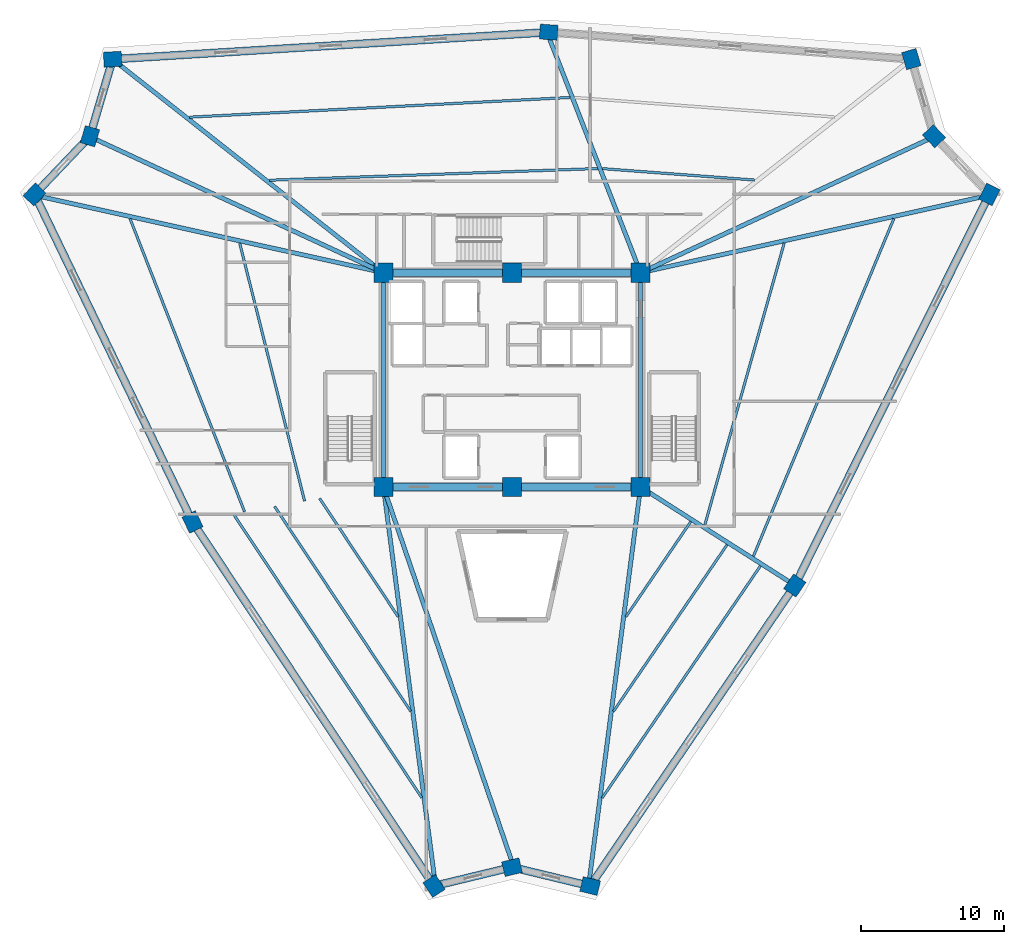
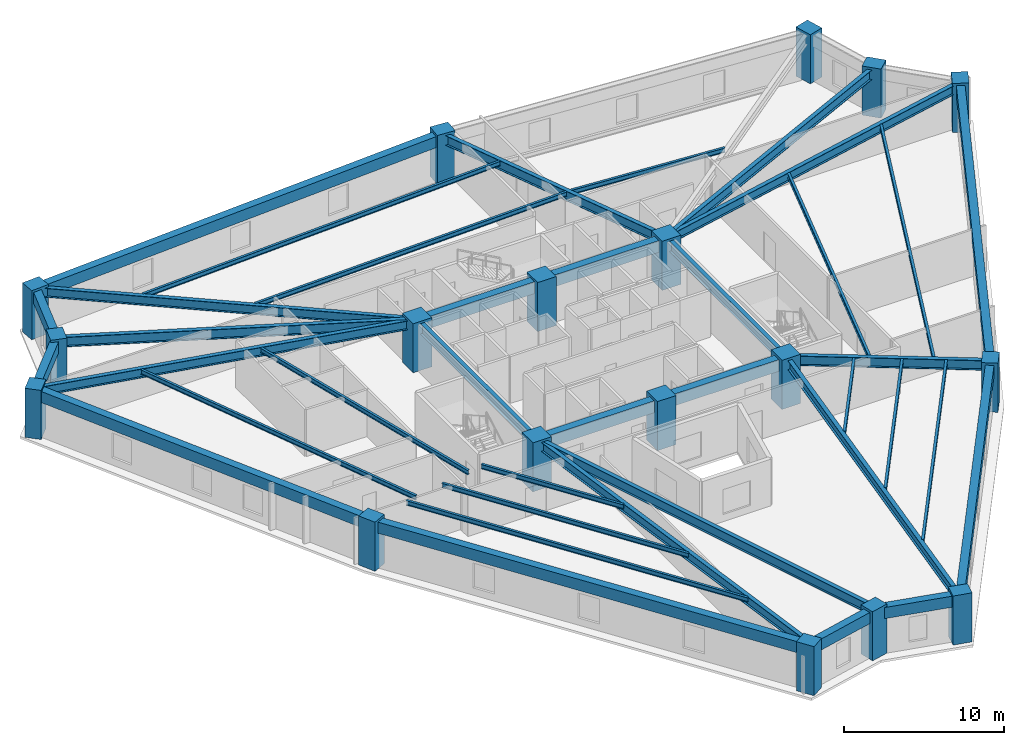
# One storey, part 1 of 8: 38 beams, 18 columns.
"""IFC4 building model written with IfcOpenShell, lengths in metres."""

from ifc_helpers import new_model, si_unit, direction, frame, origin, origin_2d, place, context, subcontext, project, spatial, rectangle, i_section, extrude, source, transform, mapped, material, material_profile, profile_set, type_object, element, save


model = new_model("IFC4")

# Units and contexts
model_context = context("Model", 3, precision=1e-05, world=origin(), true_north=direction((0.0, 1.0)))
body_context = subcontext(model_context, "Body", "Model", "MODEL_VIEW")
ifc_project = project(units=[si_unit("LENGTHUNIT", "METRE"), si_unit("AREAUNIT", "SQUARE_METRE"), si_unit("VOLUMEUNIT", "CUBIC_METRE"), si_unit("PLANEANGLEUNIT", "RADIAN"), si_unit("MASSUNIT", "GRAM", prefix="KILO")], contexts=[model_context])

# Site, building, storey
site_placement = place(None, origin())
site = spatial("IfcSite", under=ifc_project, at=site_placement, CompositionType="ELEMENT")
building_placement = place(site_placement, origin())
building = spatial("IfcBuilding", under=site, at=building_placement, Name="Liaohun Quay Tower", CompositionType="ELEMENT")
storey_placement = place(building_placement, frame((0.0, 0.0, 220.5)))
storey = spatial("IfcBuildingStorey", under=building, at=storey_placement, Name="L57", CompositionType="ELEMENT", Elevation=220.5)

# Columns
ifc_material_1 = material(Name="Concrete C55", Category="concrete")
ifc_material_profile_1 = material_profile(ifc_material_1, rectangle(XDim=1.35009765625, YDim=1.35009765625, at=origin_2d()), Name="RC1350x1350")
ifc_profile_set_1 = profile_set([ifc_material_profile_1], Name="Concrete C55")
column_type_1 = type_object("IfcColumnType", Name="COL-CC-Z3", PredefinedType="COLUMN", material=ifc_profile_set_1)
shared_shape_1 = source(origin(), body_context, "Body", "SweptSolid", [
    extrude(rectangle(XDim=1.35009765625, YDim=1.35009765625, at=origin_2d()), origin(), (0.0, 0.0, 1.0), 3.75),
])
for number, where, z_axis, x_axis, name in (
    (1, (51.0, 46.5, 0.0), (0.0, 0.0, 1.0), (1.0, 0.0, 0.0), "L57 Core Column CC1"),
    (2, (60.0, 46.5, 0.0), (0.0, 0.0, 1.0), (1.0, 0.0, 0.0), "L57 Core Column CC2"),
    (3, (69.0, 46.5, 0.0), (0.0, 0.0, 1.0), (1.0, 0.0, 0.0), "L57 Core Column CC3"),
    (4, (69.0, 61.5, 0.0), (0.0, 0.0, 1.0), (1.0, 0.0, 0.0), "L57 Core Column CC4"),
    (5, (60.0, 61.5, 0.0), (0.0, 0.0, 1.0), (1.0, 0.0, 0.0), "L57 Core Column CC5"),
    (6, (51.0, 61.5, 0.0), (0.0, 0.0, 1.0), (1.0, 0.0, 0.0), "L57 Core Column CC6"),
):
    element("IfcColumn", number, at=place(storey_placement, frame(where, z_axis=z_axis, x_axis=x_axis)), inside=storey, type_object=column_type_1, Name=name, PredefinedType="COLUMN", context=body_context, shape_type="MappedRepresentation", body=[
        mapped(shared_shape_1, transform((0.0, 0.0, 0.0), x_axis=(1.0, 0.0, 0.0), y_axis=(0.0, 1.0, 0.0), z_axis=(0.0, 0.0, 1.0), scale=1.0)),
    ])
ifc_material_profile_2 = material_profile(ifc_material_1, rectangle(XDim=1.25, YDim=1.050048828125, at=origin_2d()), Name="RC1250x1050")
ifc_profile_set_2 = profile_set([ifc_material_profile_2], Name="Concrete C55")
column_type_2 = type_object("IfcColumnType", Name="COL-PIER-Z3", PredefinedType="COLUMN", material=ifc_profile_set_2)
shared_shape_2 = source(origin(), body_context, "Body", "SweptSolid", [
    extrude(rectangle(XDim=1.25, YDim=1.050048828125, at=origin_2d()), origin(), (0.0, 0.0, 1.0), 3.75),
])
for number, where, z_axis, x_axis, name in (
    (7, (54.5380859375, 18.570068359375, 0.0), (0.0, 0.0, 1.0), (-0.552664477717, 0.833403848725, 0.0), "L57 Perimeter Pier PC01"),
    (8, (37.635986328125, 44.053955078125, 0.0), (0.0, 0.0, 1.0), (-0.434445257404, 0.900698239323, 0.0), "L57 Perimeter Pier PC02"),
    (9, (26.5810546875, 66.97998046875, 0.0), (0.0, 0.0, 1.0), (0.68936671806, 0.724412539946, 0.0), "L57 Perimeter Pier PC03"),
    (10, (30.458984375, 71.054931640625, 0.0), (0.0, 0.0, 1.0), (0.282676303383, 0.959215360337, 0.0), "L57 Perimeter Pier PC04"),
    (11, (32.048095703125, 76.445068359375, 0.0), (0.0, 0.0, 1.0), (0.998081143466, 0.061919553109, 0.0), "L57 Perimeter Pier PC05"),
    (12, (62.569091796875, 78.340087890625, 0.0), (0.0, 0.0, 1.0), (-0.997250185099, 0.074108490195, 0.0), "L57 Perimeter Pier PC06"),
    (13, (87.949951171875, 76.451904296875, 0.0), (0.0, 0.0, 1.0), (-0.282676303383, 0.959215360337, 0.0), "L57 Perimeter Pier PC07"),
    (14, (89.541015625, 71.054931640625, 0.0), (0.0, 0.0, 1.0), (-0.68936671806, 0.724412539946, 0.0), "L57 Perimeter Pier PC08"),
    (15, (93.4140625, 66.985107421875, 0.0), (0.0, 0.0, 1.0), (0.445416665749, 0.895323401835, 0.0), "L57 Perimeter Pier PC09"),
    (16, (79.794921875, 39.60498046875, 0.0), (0.0, 0.0, 1.0), (0.562804927695, 0.826589749127, 0.0), "L57 Perimeter Pier PC10"),
    (17, (65.468994140625, 18.568115234375, 0.0), (0.0, 0.0, 1.0), (-0.972043021443, 0.234802820391, 0.0), "L57 Perimeter Pier PC11"),
    (18, (60.0, 19.888916015625, 0.0), (0.0, 0.0, 1.0), (0.972043021443, 0.234802820391, 0.0), "L57 Perimeter Pier PC12"),
):
    element("IfcColumn", number, at=place(storey_placement, frame(where, z_axis=z_axis, x_axis=x_axis)), inside=storey, type_object=column_type_2, Name=name, PredefinedType="COLUMN", context=body_context, shape_type="MappedRepresentation", body=[
        mapped(shared_shape_2, transform((0.0, 0.0, 0.0), x_axis=(1.0, 0.0, 0.0), y_axis=(0.0, 1.0, 0.0), z_axis=(0.0, 0.0, 1.0), scale=1.0)),
    ])

# Beams
ifc_material_2 = material(Name="Steel Q355D", Category="steel")
ifc_material_profile_3 = material_profile(ifc_material_2, i_section(OverallWidth=0.300048828125, OverallDepth=0.800048828125, WebThickness=0.013916015625, FlangeThickness=0.02587890625, at=origin_2d()), Name="HN800x300x14x26")
ifc_profile_set_3 = profile_set([ifc_material_profile_3], Name="Steel Q355D")
beam_type_1 = type_object("IfcBeamType", Name="BM-RAD-M1", PredefinedType="BEAM", material=ifc_profile_set_3)
shared_shape_3 = source(origin(), body_context, "Body", "SweptSolid", [
    extrude(i_section(OverallWidth=0.300048828125, OverallDepth=0.800048828125, WebThickness=0.013916015625, FlangeThickness=0.02587890625, at=origin_2d()), origin(), (0.0, 0.0, 1.0), 15.0),
])
for number, where, z_axis, x_axis, name in (
    (19, (69.0, 46.5, 3.169921875), (0.0, 1.0, 0.0), (-1.0, 0.0, 0.0), "L57 Core Coupling/Ring Beam CC3-CC4"),
    (20, (51.0, 61.5, 3.169921875), (0.0, -1.0, 0.0), (1.0, 0.0, 0.0), "L57 Core Coupling/Ring Beam CC6-CC1"),
):
    element("IfcBeam", number, at=place(storey_placement, frame(where, z_axis=z_axis, x_axis=x_axis)), inside=storey, type_object=beam_type_1, Name=name, PredefinedType="BEAM", context=body_context, shape_type="MappedRepresentation", body=[
        mapped(shared_shape_3, transform((0.0, 0.0, 0.0), x_axis=(1.0, 0.0, 0.0), y_axis=(0.0, 1.0, 0.0), z_axis=(0.0, 0.0, 1.0), scale=1.0)),
    ])
ifc_material_profile_4 = material_profile(ifc_material_1, rectangle(XDim=0.550048828125, YDim=0.89990234375, at=origin_2d()), Name="RC550x900")
ifc_profile_set_4 = profile_set([ifc_material_profile_4], Name="Concrete C55")
beam_type_2 = type_object("IfcBeamType", Name="BM-CPL-2", PredefinedType="LINTEL", material=ifc_profile_set_4)
shared_shape_4 = source(origin(), body_context, "Body", "SweptSolid", [
    extrude(rectangle(XDim=0.550048828125, YDim=0.89990234375, at=origin_2d()), origin(), (0.0, 0.0, 1.0), 9.0),
])
for number, where, z_axis, x_axis, name in (
    (21, (51.0, 46.5, 3.1201171875), (1.0, 0.0, 0.0), (0.0, 1.0, 0.0), "L57 Core Coupling/Ring Beam CC1-CC2"),
    (22, (60.0, 46.5, 3.1201171875), (1.0, 0.0, 0.0), (0.0, 1.0, 0.0), "L57 Core Coupling/Ring Beam CC2-CC3"),
    (23, (69.0, 61.5, 3.1201171875), (-1.0, 0.0, 0.0), (0.0, -1.0, 0.0), "L57 Core Coupling/Ring Beam CC4-CC5"),
    (24, (60.0, 61.5, 3.1201171875), (-1.0, 0.0, 0.0), (0.0, -1.0, 0.0), "L57 Core Coupling/Ring Beam CC5-CC6"),
):
    element("IfcBeam", number, at=place(storey_placement, frame(where, z_axis=z_axis, x_axis=x_axis)), inside=storey, type_object=beam_type_2, Name=name, PredefinedType="LINTEL", context=body_context, shape_type="MappedRepresentation", body=[
        mapped(shared_shape_4, transform((0.0, 0.0, 0.0), x_axis=(1.0, 0.0, 0.0), y_axis=(0.0, 1.0, 0.0), z_axis=(0.0, 0.0, 1.0), scale=1.0)),
    ])
ifc_material_3 = material(Name="Precast concrete C50", Category="concrete")
ifc_material_profile_5 = material_profile(ifc_material_3, rectangle(XDim=0.550048828125, YDim=0.85009765625, at=origin_2d()), Name="RC550x850")
ifc_profile_set_5 = profile_set([ifc_material_profile_5], Name="Precast concrete C50")
beam_type_3 = type_object("IfcBeamType", Name="BM-SPD-Z3", PredefinedType="SPANDREL", material=ifc_profile_set_5)
shared_shape_5 = source(origin(), body_context, "Body", "SweptSolid", [
    extrude(rectangle(XDim=0.550048828125, YDim=0.85009765625, at=origin_2d()), origin(), (0.0, 0.0, 1.0), 30.57958984375),
])
beam_1_placement = place(storey_placement, frame((54.5380859375, 18.570068359375, 3.14501953125), z_axis=(-0.55272541323, 0.833363436665, 0.0), x_axis=(-0.833363436665, -0.55272541323, 0.0)))
element("IfcBeam", 25, at=beam_1_placement, inside=storey, type_object=beam_type_3, Name="L57 Precast Spandrel Beam PC01-PC02", PredefinedType="SPANDREL", context=body_context, shape_type="MappedRepresentation", body=[
    mapped(shared_shape_5, transform((0.0, 0.0, 0.0), x_axis=(1.0, 0.0, 0.0), y_axis=(0.0, 1.0, 0.0), z_axis=(0.0, 0.0, 1.0), scale=1.0)),
])
shared_shape_6 = source(origin(), body_context, "Body", "SweptSolid", [
    extrude(rectangle(XDim=0.550048828125, YDim=0.85009765625, at=origin_2d()), origin(), (0.0, 0.0, 1.0), 25.4521484375),
])
beam_2_placement = place(storey_placement, frame((37.635986328125, 44.053955078125, 3.14501953125), z_axis=(-0.434341018273, 0.900748510876, 0.0), x_axis=(-0.900748510876, -0.434341018273, 0.0)))
element("IfcBeam", 26, at=beam_2_placement, inside=storey, type_object=beam_type_3, Name="L57 Precast Spandrel Beam PC02-PC03", PredefinedType="SPANDREL", context=body_context, shape_type="MappedRepresentation", body=[
    mapped(shared_shape_6, transform((0.0, 0.0, 0.0), x_axis=(1.0, 0.0, 0.0), y_axis=(0.0, 1.0, 0.0), z_axis=(0.0, 0.0, 1.0), scale=1.0)),
])
shared_shape_7 = source(origin(), body_context, "Body", "SweptSolid", [
    extrude(rectangle(XDim=0.550048828125, YDim=0.85009765625, at=origin_2d()), origin(), (0.0, 0.0, 1.0), 5.625244140625),
])
beam_3_placement = place(storey_placement, frame((26.5810546875, 66.97998046875, 3.14501953125), z_axis=(0.689377687208, 0.724402101308, 0.0), x_axis=(-0.724402101308, 0.689377687208, 0.0)))
element("IfcBeam", 27, at=beam_3_placement, inside=storey, type_object=beam_type_3, Name="L57 Precast Spandrel Beam PC03-PC04", PredefinedType="SPANDREL", context=body_context, shape_type="MappedRepresentation", body=[
    mapped(shared_shape_7, transform((0.0, 0.0, 0.0), x_axis=(1.0, 0.0, 0.0), y_axis=(0.0, 1.0, 0.0), z_axis=(0.0, 0.0, 1.0), scale=1.0)),
])
shared_shape_8 = source(origin(), body_context, "Body", "SweptSolid", [
    extrude(rectangle(XDim=0.550048828125, YDim=0.85009765625, at=origin_2d()), origin(), (0.0, 0.0, 1.0), 5.619384765625),
])
beam_4_placement = place(storey_placement, frame((30.458984375, 71.054931640625, 3.14501953125), z_axis=(0.28278487532, 0.959183358014, 0.0), x_axis=(-0.959183358014, 0.28278487532, 0.0)))
element("IfcBeam", 28, at=beam_4_placement, inside=storey, type_object=beam_type_3, Name="L57 Precast Spandrel Beam PC04-PC05", PredefinedType="SPANDREL", context=body_context, shape_type="MappedRepresentation", body=[
    mapped(shared_shape_8, transform((0.0, 0.0, 0.0), x_axis=(1.0, 0.0, 0.0), y_axis=(0.0, 1.0, 0.0), z_axis=(0.0, 0.0, 1.0), scale=1.0)),
])
shared_shape_9 = source(origin(), body_context, "Body", "SweptSolid", [
    extrude(rectangle(XDim=0.550048828125, YDim=0.85009765625, at=origin_2d()), origin(), (0.0, 0.0, 1.0), 30.579833984375),
])
beam_5_placement = place(storey_placement, frame((32.048095703125, 76.445068359375, 3.14501953125), z_axis=(0.998078030366, 0.061969712766, 0.0), x_axis=(-0.061969712766, 0.998078030366, 0.0)))
element("IfcBeam", 29, at=beam_5_placement, inside=storey, type_object=beam_type_3, Name="L57 Precast Spandrel Beam PC05-PC06", PredefinedType="SPANDREL", context=body_context, shape_type="MappedRepresentation", body=[
    mapped(shared_shape_9, transform((0.0, 0.0, 0.0), x_axis=(1.0, 0.0, 0.0), y_axis=(0.0, 1.0, 0.0), z_axis=(0.0, 0.0, 1.0), scale=1.0)),
])
shared_shape_10 = source(origin(), body_context, "Body", "SweptSolid", [
    extrude(rectangle(XDim=0.550048828125, YDim=0.85009765625, at=origin_2d()), origin(), (0.0, 0.0, 1.0), 30.580322265625),
])
beam_6_placement = place(storey_placement, frame((93.4140625, 66.985107421875, 3.14501953125), z_axis=(-0.445357244235, -0.895352961132, 0.0), x_axis=(0.895352961132, -0.445357244235, 0.0)))
element("IfcBeam", 30, at=beam_6_placement, inside=storey, type_object=beam_type_3, Name="L57 Precast Spandrel Beam PC09-PC10", PredefinedType="SPANDREL", context=body_context, shape_type="MappedRepresentation", body=[
    mapped(shared_shape_10, transform((0.0, 0.0, 0.0), x_axis=(1.0, 0.0, 0.0), y_axis=(0.0, 1.0, 0.0), z_axis=(0.0, 0.0, 1.0), scale=1.0)),
])
shared_shape_11 = source(origin(), body_context, "Body", "SweptSolid", [
    extrude(rectangle(XDim=0.550048828125, YDim=0.85009765625, at=origin_2d()), origin(), (0.0, 0.0, 1.0), 25.45166015625),
])
beam_7_placement = place(storey_placement, frame((79.794921875, 39.60498046875, 3.14501953125), z_axis=(-0.562870321408, -0.826545220347, 0.0), x_axis=(0.826545220347, -0.562870321408, 0.0)))
element("IfcBeam", 31, at=beam_7_placement, inside=storey, type_object=beam_type_3, Name="L57 Precast Spandrel Beam PC10-PC11", PredefinedType="SPANDREL", context=body_context, shape_type="MappedRepresentation", body=[
    mapped(shared_shape_11, transform((0.0, 0.0, 0.0), x_axis=(1.0, 0.0, 0.0), y_axis=(0.0, 1.0, 0.0), z_axis=(0.0, 0.0, 1.0), scale=1.0)),
])
shared_shape_12 = source(origin(), body_context, "Body", "SweptSolid", [
    extrude(rectangle(XDim=0.550048828125, YDim=0.85009765625, at=origin_2d()), origin(), (0.0, 0.0, 1.0), 5.626220703125),
])
beam_8_placement = place(storey_placement, frame((65.468994140625, 18.568115234375, 3.14501953125), z_axis=(-0.972053873937, 0.234757888398, 0.0), x_axis=(-0.234757888398, -0.972053873937, 0.0)))
element("IfcBeam", 32, at=beam_8_placement, inside=storey, type_object=beam_type_3, Name="L57 Precast Spandrel Beam PC11-PC12", PredefinedType="SPANDREL", context=body_context, shape_type="MappedRepresentation", body=[
    mapped(shared_shape_12, transform((0.0, 0.0, 0.0), x_axis=(1.0, 0.0, 0.0), y_axis=(0.0, 1.0, 0.0), z_axis=(0.0, 0.0, 1.0), scale=1.0)),
])
shared_shape_13 = source(origin(), body_context, "Body", "SweptSolid", [
    extrude(rectangle(XDim=0.550048828125, YDim=0.85009765625, at=origin_2d()), origin(), (0.0, 0.0, 1.0), 5.618896484375),
])
beam_9_placement = place(storey_placement, frame((60.0, 19.888916015625, 3.14501953125), z_axis=(-0.972063751515, -0.234716984878, 0.0), x_axis=(0.234716984878, -0.972063751515, 0.0)))
element("IfcBeam", 33, at=beam_9_placement, inside=storey, type_object=beam_type_3, Name="L57 Precast Spandrel Beam PC12-PC01", PredefinedType="SPANDREL", context=body_context, shape_type="MappedRepresentation", body=[
    mapped(shared_shape_13, transform((0.0, 0.0, 0.0), x_axis=(1.0, 0.0, 0.0), y_axis=(0.0, 1.0, 0.0), z_axis=(0.0, 0.0, 1.0), scale=1.0)),
])
ifc_material_profile_6 = material_profile(ifc_material_2, i_section(OverallWidth=0.300048828125, OverallDepth=0.699951171875, WebThickness=0.012939453125, FlangeThickness=0.02392578125, at=origin_2d()), Name="HN700x300x13x24")
ifc_profile_set_6 = profile_set([ifc_material_profile_6], Name="Steel Q355D")
beam_type_4 = type_object("IfcBeamType", Name="BM-RAD-U1", PredefinedType="BEAM", material=ifc_profile_set_6)
shared_shape_14 = source(origin(), body_context, "Body", "SweptSolid", [
    extrude(i_section(OverallWidth=0.300048828125, OverallDepth=0.699951171875, WebThickness=0.012939453125, FlangeThickness=0.02392578125, at=origin_2d()), origin(), (0.0, 0.0, 1.0), 27.78125),
])
beam_10_placement = place(storey_placement, frame((51.0, 46.5, 3.219970703125), z_axis=(0.129586761075, -0.991568087099, 0.0), x_axis=(0.991568087099, 0.129586761075, 0.0)))
element("IfcBeam", 34, at=beam_10_placement, inside=storey, type_object=beam_type_4, Name="L57 Radial Primary Girder CC1-PC01", PredefinedType="BEAM", context=body_context, shape_type="MappedRepresentation", body=[
    mapped(shared_shape_14, transform((0.0, 0.0, 0.0), x_axis=(1.0, 0.0, 0.0), y_axis=(0.0, 1.0, 0.0), z_axis=(0.0, 0.0, 1.0), scale=1.0)),
])
shared_shape_15 = source(origin(), body_context, "Body", "SweptSolid", [
    extrude(i_section(OverallWidth=0.300048828125, OverallDepth=0.699951171875, WebThickness=0.012939453125, FlangeThickness=0.02392578125, at=origin_2d()), origin(), (0.0, 0.0, 1.0), 24.6416015625),
])
beam_11_placement = place(storey_placement, frame((51.0, 61.5, 3.219970703125), z_axis=(-0.976227373149, 0.216748969811, 0.0), x_axis=(-0.216748969811, -0.976227373149, 0.0)))
element("IfcBeam", 35, at=beam_11_placement, inside=storey, type_object=beam_type_4, Name="L57 Radial Primary Girder CC6-PC03", PredefinedType="BEAM", context=body_context, shape_type="MappedRepresentation", body=[
    mapped(shared_shape_15, transform((0.0, 0.0, 0.0), x_axis=(1.0, 0.0, 0.0), y_axis=(0.0, 1.0, 0.0), z_axis=(0.0, 0.0, 1.0), scale=1.0)),
])
ifc_material_profile_7 = material_profile(ifc_material_2, i_section(OverallWidth=0.300048828125, OverallDepth=0.75, WebThickness=0.013916015625, FlangeThickness=0.02587890625, at=origin_2d()), Name="HN750x300x14x26")
ifc_profile_set_7 = profile_set([ifc_material_profile_7], Name="Steel Q355D")
beam_type_5 = type_object("IfcBeamType", Name="BM-RAD-M2", PredefinedType="BEAM", material=ifc_profile_set_7)
shared_shape_16 = source(origin(), body_context, "Body", "SweptSolid", [
    extrude(i_section(OverallWidth=0.300048828125, OverallDepth=0.75, WebThickness=0.013916015625, FlangeThickness=0.02587890625, at=origin_2d()), origin(), (0.0, 0.0, 1.0), 22.287841796875),
])
for number, where, z_axis, x_axis, name in (
    (36, (51.0, 61.5, 3.195068359375), (-0.907311319993, 0.420459473211, 0.0), (-0.420459473211, -0.907311319993, 0.0), "L57 Radial Primary Girder CC6-PC04"),
    (37, (69.0, 61.5, 3.195068359375), (0.907311319993, 0.420459473211, 0.0), (-0.420459473211, 0.907311319993, 0.0), "L57 Radial Primary Girder CC4-PC08"),
):
    element("IfcBeam", number, at=place(storey_placement, frame(where, z_axis=z_axis, x_axis=x_axis)), inside=storey, type_object=beam_type_5, Name=name, PredefinedType="BEAM", context=body_context, shape_type="MappedRepresentation", body=[
        mapped(shared_shape_16, transform((0.0, 0.0, 0.0), x_axis=(1.0, 0.0, 0.0), y_axis=(0.0, 1.0, 0.0), z_axis=(0.0, 0.0, 1.0), scale=1.0)),
    ])
shared_shape_17 = source(origin(), body_context, "Body", "SweptSolid", [
    extrude(i_section(OverallWidth=0.300048828125, OverallDepth=0.699951171875, WebThickness=0.012939453125, FlangeThickness=0.02392578125, at=origin_2d()), origin(), (0.0, 0.0, 1.0), 23.74755859375),
])
beam_12_placement = place(storey_placement, frame((51.0, 61.5, 3.219970703125), z_axis=(-0.785382772163, 0.619010420906, 0.0), x_axis=(-0.619010420906, -0.785382772163, 0.0)))
element("IfcBeam", 38, at=beam_12_placement, inside=storey, type_object=beam_type_4, Name="L57 Radial Primary Girder CC6-PC05", PredefinedType="BEAM", context=body_context, shape_type="MappedRepresentation", body=[
    mapped(shared_shape_17, transform((0.0, 0.0, 0.0), x_axis=(1.0, 0.0, 0.0), y_axis=(0.0, 1.0, 0.0), z_axis=(0.0, 0.0, 1.0), scale=1.0)),
])
shared_shape_18 = source(origin(), body_context, "Body", "SweptSolid", [
    extrude(i_section(OverallWidth=0.300048828125, OverallDepth=0.75, WebThickness=0.013916015625, FlangeThickness=0.02587890625, at=origin_2d()), origin(), (0.0, 0.0, 1.0), 17.8037109375),
])
beam_13_placement = place(storey_placement, frame((69.0, 61.5, 3.195068359375), z_axis=(-0.362735429247, 0.931892165633, 0.0), x_axis=(-0.931892165633, -0.362735429247, 0.0)))
element("IfcBeam", 39, at=beam_13_placement, inside=storey, type_object=beam_type_5, Name="L57 Radial Primary Girder CC4-PC06", PredefinedType="BEAM", context=body_context, shape_type="MappedRepresentation", body=[
    mapped(shared_shape_18, transform((0.0, 0.0, 0.0), x_axis=(1.0, 0.0, 0.0), y_axis=(0.0, 1.0, 0.0), z_axis=(0.0, 0.0, 1.0), scale=1.0)),
])
shared_shape_19 = source(origin(), body_context, "Body", "SweptSolid", [
    extrude(i_section(OverallWidth=0.300048828125, OverallDepth=0.699951171875, WebThickness=0.012939453125, FlangeThickness=0.02392578125, at=origin_2d()), origin(), (0.0, 0.0, 1.0), 24.637939453125),
])
beam_14_placement = place(storey_placement, frame((69.0, 61.5, 3.219970703125), z_axis=(0.976176100629, 0.216979769934, 0.0), x_axis=(-0.216979769934, 0.976176100629, 0.0)))
element("IfcBeam", 40, at=beam_14_placement, inside=storey, type_object=beam_type_4, Name="L57 Radial Primary Girder CC4-PC09", PredefinedType="BEAM", context=body_context, shape_type="MappedRepresentation", body=[
    mapped(shared_shape_19, transform((0.0, 0.0, 0.0), x_axis=(1.0, 0.0, 0.0), y_axis=(0.0, 1.0, 0.0), z_axis=(0.0, 0.0, 1.0), scale=1.0)),
])
shared_shape_20 = source(origin(), body_context, "Body", "SweptSolid", [
    extrude(i_section(OverallWidth=0.300048828125, OverallDepth=0.75, WebThickness=0.013916015625, FlangeThickness=0.02587890625, at=origin_2d()), origin(), (0.0, 0.0, 1.0), 12.558837890625),
])
beam_15_placement = place(storey_placement, frame((69.0, 46.5, 3.195068359375), z_axis=(0.843478131667, -0.537163514583, 0.0), x_axis=(0.537163514583, 0.843478131667, 0.0)))
element("IfcBeam", 41, at=beam_15_placement, inside=storey, type_object=beam_type_5, Name="L57 Radial Primary Girder CC3-PC10", PredefinedType="BEAM", context=body_context, shape_type="MappedRepresentation", body=[
    mapped(shared_shape_20, transform((0.0, 0.0, 0.0), x_axis=(1.0, 0.0, 0.0), y_axis=(0.0, 1.0, 0.0), z_axis=(0.0, 0.0, 1.0), scale=1.0)),
])
shared_shape_21 = source(origin(), body_context, "Body", "SweptSolid", [
    extrude(i_section(OverallWidth=0.300048828125, OverallDepth=0.699951171875, WebThickness=0.012939453125, FlangeThickness=0.02392578125, at=origin_2d()), origin(), (0.0, 0.0, 1.0), 27.7822265625),
])
beam_16_placement = place(storey_placement, frame((69.0, 46.5, 3.219970703125), z_axis=(-0.129292599614, -0.991606486306, 0.0), x_axis=(0.991606486306, -0.129292599614, 0.0)))
element("IfcBeam", 42, at=beam_16_placement, inside=storey, type_object=beam_type_4, Name="L57 Radial Primary Girder CC3-PC11", PredefinedType="BEAM", context=body_context, shape_type="MappedRepresentation", body=[
    mapped(shared_shape_21, transform((0.0, 0.0, 0.0), x_axis=(1.0, 0.0, 0.0), y_axis=(0.0, 1.0, 0.0), z_axis=(0.0, 0.0, 1.0), scale=1.0)),
])
shared_shape_22 = source(origin(), body_context, "Body", "SweptSolid", [
    extrude(i_section(OverallWidth=0.300048828125, OverallDepth=0.75, WebThickness=0.013916015625, FlangeThickness=0.02587890625, at=origin_2d()), origin(), (0.0, 0.0, 1.0), 27.743408203125),
])
beam_17_placement = place(storey_placement, frame((51.0, 46.5, 3.195068359375), z_axis=(0.324402616718, -0.945919099219, 0.0), x_axis=(0.945919099219, 0.324402616718, 0.0)))
element("IfcBeam", 43, at=beam_17_placement, inside=storey, type_object=beam_type_5, Name="L57 Radial Primary Girder CC1-PC12", PredefinedType="BEAM", context=body_context, shape_type="MappedRepresentation", body=[
    mapped(shared_shape_22, transform((0.0, 0.0, 0.0), x_axis=(1.0, 0.0, 0.0), y_axis=(0.0, 1.0, 0.0), z_axis=(0.0, 0.0, 1.0), scale=1.0)),
])
ifc_material_profile_8 = material_profile(ifc_material_2, i_section(OverallWidth=0.175048828125, OverallDepth=0.35009765625, WebThickness=0.007080078125, FlangeThickness=0.010986328125, at=origin_2d()), Name="HN350x175x7x11")
ifc_profile_set_8 = profile_set([ifc_material_profile_8], Name="Steel Q355D")
beam_type_6 = type_object("IfcBeamType", Name="BM-SEC-J3", PredefinedType="JOIST", material=ifc_profile_set_8)
shared_shape_23 = source(origin(), body_context, "Body", "SweptSolid", [
    extrude(i_section(OverallWidth=0.175048828125, OverallDepth=0.35009765625, WebThickness=0.007080078125, FlangeThickness=0.010986328125, at=origin_2d()), origin(), (0.0, 0.0, 1.0), 9.9453125),
])
beam_18_placement = place(storey_placement, frame((52.035888671875, 37.41796875, 3.39501953125), z_axis=(-0.553215100182, 0.83303844625, 0.0), x_axis=(-0.83303844625, -0.553215100182, 0.0)))
element("IfcBeam", 44, at=beam_18_placement, inside=storey, type_object=beam_type_6, Name="L57 Wing Secondary Floor Joist SJ-01", PredefinedType="JOIST", context=body_context, shape_type="MappedRepresentation", body=[
    mapped(shared_shape_23, transform((0.0, 0.0, 0.0), x_axis=(1.0, 0.0, 0.0), y_axis=(0.0, 1.0, 0.0), z_axis=(0.0, 0.0, 1.0), scale=1.0)),
])
shared_shape_24 = source(origin(), body_context, "Body", "SweptSolid", [
    extrude(i_section(OverallWidth=0.175048828125, OverallDepth=0.35009765625, WebThickness=0.007080078125, FlangeThickness=0.010986328125, at=origin_2d()), origin(), (0.0, 0.0, 1.0), 17.2060546875),
])
beam_19_placement = place(storey_placement, frame((52.89990234375, 30.805908203125, 3.39501953125), z_axis=(-0.553163550084, 0.833072678017, 0.0), x_axis=(-0.833072678017, -0.553163550084, 0.0)))
element("IfcBeam", 45, at=beam_19_placement, inside=storey, type_object=beam_type_6, Name="L57 Wing Secondary Floor Joist SJ-02", PredefinedType="JOIST", context=body_context, shape_type="MappedRepresentation", body=[
    mapped(shared_shape_24, transform((0.0, 0.0, 0.0), x_axis=(1.0, 0.0, 0.0), y_axis=(0.0, 1.0, 0.0), z_axis=(0.0, 0.0, 1.0), scale=1.0)),
])
shared_shape_25 = source(origin(), body_context, "Body", "SweptSolid", [
    extrude(i_section(OverallWidth=0.175048828125, OverallDepth=0.35009765625, WebThickness=0.007080078125, FlangeThickness=0.010986328125, at=origin_2d()), origin(), (0.0, 0.0, 1.0), 23.861572265625),
])
beam_20_placement = place(storey_placement, frame((53.69189453125, 24.74609375, 3.39501953125), z_axis=(-0.553190520605, 0.833054768855, 0.0), x_axis=(-0.833054768855, -0.553190520605, 0.0)))
element("IfcBeam", 46, at=beam_20_placement, inside=storey, type_object=beam_type_6, Name="L57 Wing Secondary Floor Joist SJ-03", PredefinedType="JOIST", context=body_context, shape_type="MappedRepresentation", body=[
    mapped(shared_shape_25, transform((0.0, 0.0, 0.0), x_axis=(1.0, 0.0, 0.0), y_axis=(0.0, 1.0, 0.0), z_axis=(0.0, 0.0, 1.0), scale=1.0)),
])
shared_shape_26 = source(origin(), body_context, "Body", "SweptSolid", [
    extrude(i_section(OverallWidth=0.175048828125, OverallDepth=0.35009765625, WebThickness=0.007080078125, FlangeThickness=0.010986328125, at=origin_2d()), origin(), (0.0, 0.0, 1.0), 18.62841796875),
])
beam_21_placement = place(storey_placement, frame((45.48291015625, 45.514892578125, 3.39501953125), z_axis=(-0.244030945705, 0.969767445081, 0.0), x_axis=(-0.969767445081, -0.244030945705, 0.0)))
element("IfcBeam", 47, at=beam_21_placement, inside=storey, type_object=beam_type_6, Name="L57 Wing Secondary Floor Joist SJ-04", PredefinedType="JOIST", context=body_context, shape_type="MappedRepresentation", body=[
    mapped(shared_shape_26, transform((0.0, 0.0, 0.0), x_axis=(1.0, 0.0, 0.0), y_axis=(0.0, 1.0, 0.0), z_axis=(0.0, 0.0, 1.0), scale=1.0)),
])
shared_shape_27 = source(origin(), body_context, "Body", "SweptSolid", [
    extrude(i_section(OverallWidth=0.175048828125, OverallDepth=0.35009765625, WebThickness=0.007080078125, FlangeThickness=0.010986328125, at=origin_2d()), origin(), (0.0, 0.0, 1.0), 22.029296875),
])
beam_22_placement = place(storey_placement, frame((41.280029296875, 44.764892578125, 3.39501953125), z_axis=(-0.36388448115, 0.931444085482, 0.0), x_axis=(-0.931444085482, -0.36388448115, 0.0)))
element("IfcBeam", 48, at=beam_22_placement, inside=storey, type_object=beam_type_6, Name="L57 Wing Secondary Floor Joist SJ-05", PredefinedType="JOIST", context=body_context, shape_type="MappedRepresentation", body=[
    mapped(shared_shape_27, transform((0.0, 0.0, 0.0), x_axis=(1.0, 0.0, 0.0), y_axis=(0.0, 1.0, 0.0), z_axis=(0.0, 0.0, 1.0), scale=1.0)),
])
shared_shape_28 = source(origin(), body_context, "Body", "SweptSolid", [
    extrude(i_section(OverallWidth=0.175048828125, OverallDepth=0.35009765625, WebThickness=0.007080078125, FlangeThickness=0.010986328125, at=origin_2d()), origin(), (0.0, 0.0, 1.0), 22.98974609375),
])
beam_23_placement = place(storey_placement, frame((43.02490234375, 67.97607421875, 3.39501953125), z_axis=(0.999366987236, 0.035575621185, 0.0), x_axis=(-0.035575621185, 0.999366987236, 0.0)))
element("IfcBeam", 49, at=beam_23_placement, inside=storey, type_object=beam_type_6, Name="L57 Wing Secondary Floor Joist SJ-06", PredefinedType="JOIST", context=body_context, shape_type="MappedRepresentation", body=[
    mapped(shared_shape_28, transform((0.0, 0.0, 0.0), x_axis=(1.0, 0.0, 0.0), y_axis=(0.0, 1.0, 0.0), z_axis=(0.0, 0.0, 1.0), scale=1.0)),
])
shared_shape_29 = source(origin(), body_context, "Body", "SweptSolid", [
    extrude(i_section(OverallWidth=0.175048828125, OverallDepth=0.35009765625, WebThickness=0.007080078125, FlangeThickness=0.010986328125, at=origin_2d()), origin(), (0.0, 0.0, 1.0), 26.672607421875),
])
beam_24_placement = place(storey_placement, frame((37.426025390625, 72.389892578125, 3.39501953125), z_axis=(0.998662321502, 0.0517065529, 0.0), x_axis=(-0.0517065529, 0.998662321502, 0.0)))
element("IfcBeam", 50, at=beam_24_placement, inside=storey, type_object=beam_type_6, Name="L57 Wing Secondary Floor Joist SJ-07", PredefinedType="JOIST", context=body_context, shape_type="MappedRepresentation", body=[
    mapped(shared_shape_29, transform((0.0, 0.0, 0.0), x_axis=(1.0, 0.0, 0.0), y_axis=(0.0, 1.0, 0.0), z_axis=(0.0, 0.0, 1.0), scale=1.0)),
])
shared_shape_30 = source(origin(), body_context, "Body", "SweptSolid", [
    extrude(i_section(OverallWidth=0.175048828125, OverallDepth=0.35009765625, WebThickness=0.007080078125, FlangeThickness=0.010986328125, at=origin_2d()), origin(), (0.0, 0.0, 1.0), 10.68994140625),
])
beam_25_placement = place(storey_placement, frame((66.323974609375, 68.7880859375, 3.39501953125), z_axis=(0.997195433536, -0.074841614999, 0.0), x_axis=(0.074841614999, 0.997195433536, 0.0)))
element("IfcBeam", 51, at=beam_25_placement, inside=storey, type_object=beam_type_6, Name="L57 Wing Secondary Floor Joist SJ-08", PredefinedType="JOIST", context=body_context, shape_type="MappedRepresentation", body=[
    mapped(shared_shape_30, transform((0.0, 0.0, 0.0), x_axis=(1.0, 0.0, 0.0), y_axis=(0.0, 1.0, 0.0), z_axis=(0.0, 0.0, 1.0), scale=1.0)),
])
shared_shape_31 = source(origin(), body_context, "Body", "SweptSolid", [
    extrude(i_section(OverallWidth=0.175048828125, OverallDepth=0.35009765625, WebThickness=0.007080078125, FlangeThickness=0.010986328125, at=origin_2d()), origin(), (0.0, 0.0, 1.0), 20.5322265625),
])
beam_26_placement = place(storey_placement, frame((79.054931640625, 63.5810546875, 3.39501953125), z_axis=(-0.270940470508, -0.962596105042, 0.0), x_axis=(0.962596105042, -0.270940470508, 0.0)))
element("IfcBeam", 52, at=beam_26_placement, inside=storey, type_object=beam_type_6, Name="L57 Wing Secondary Floor Joist SJ-10", PredefinedType="JOIST", context=body_context, shape_type="MappedRepresentation", body=[
    mapped(shared_shape_31, transform((0.0, 0.0, 0.0), x_axis=(1.0, 0.0, 0.0), y_axis=(0.0, 1.0, 0.0), z_axis=(0.0, 0.0, 1.0), scale=1.0)),
])
shared_shape_32 = source(origin(), body_context, "Body", "SweptSolid", [
    extrude(i_section(OverallWidth=0.175048828125, OverallDepth=0.35009765625, WebThickness=0.007080078125, FlangeThickness=0.010986328125, at=origin_2d()), origin(), (0.0, 0.0, 1.0), 25.6005859375),
])
beam_27_placement = place(storey_placement, frame((86.72705078125, 65.287109375, 3.39501953125), z_axis=(-0.383977419794, -0.923342483095, 0.0), x_axis=(0.923342483095, -0.383977419794, 0.0)))
element("IfcBeam", 53, at=beam_27_placement, inside=storey, type_object=beam_type_6, Name="L57 Wing Secondary Floor Joist SJ-11", PredefinedType="JOIST", context=body_context, shape_type="MappedRepresentation", body=[
    mapped(shared_shape_32, transform((0.0, 0.0, 0.0), x_axis=(1.0, 0.0, 0.0), y_axis=(0.0, 1.0, 0.0), z_axis=(0.0, 0.0, 1.0), scale=1.0)),
])
shared_shape_33 = source(origin(), body_context, "Body", "SweptSolid", [
    extrude(i_section(OverallWidth=0.175048828125, OverallDepth=0.35009765625, WebThickness=0.007080078125, FlangeThickness=0.010986328125, at=origin_2d()), origin(), (0.0, 0.0, 1.0), 8.078125),
])
beam_28_placement = place(storey_placement, frame((72.51708984375, 44.08203125, 3.39501953125), z_axis=(-0.563380900352, -0.826197289465, 0.0), x_axis=(0.826197289465, -0.563380900352, 0.0)))
element("IfcBeam", 54, at=beam_28_placement, inside=storey, type_object=beam_type_6, Name="L57 Wing Secondary Floor Joist SJ-12", PredefinedType="JOIST", context=body_context, shape_type="MappedRepresentation", body=[
    mapped(shared_shape_33, transform((0.0, 0.0, 0.0), x_axis=(1.0, 0.0, 0.0), y_axis=(0.0, 1.0, 0.0), z_axis=(0.0, 0.0, 1.0), scale=1.0)),
])
shared_shape_34 = source(origin(), body_context, "Body", "SweptSolid", [
    extrude(i_section(OverallWidth=0.175048828125, OverallDepth=0.35009765625, WebThickness=0.007080078125, FlangeThickness=0.010986328125, at=origin_2d()), origin(), (0.0, 0.0, 1.0), 14.12109375),
])
beam_29_placement = place(storey_placement, frame((75.05908203125, 42.462890625, 3.39501953125), z_axis=(-0.563351845927, -0.826217100822, 0.0), x_axis=(0.826217100822, -0.563351845927, 0.0)))
element("IfcBeam", 55, at=beam_29_placement, inside=storey, type_object=beam_type_6, Name="L57 Wing Secondary Floor Joist SJ-13", PredefinedType="JOIST", context=body_context, shape_type="MappedRepresentation", body=[
    mapped(shared_shape_34, transform((0.0, 0.0, 0.0), x_axis=(1.0, 0.0, 0.0), y_axis=(0.0, 1.0, 0.0), z_axis=(0.0, 0.0, 1.0), scale=1.0)),
])
shared_shape_35 = source(origin(), body_context, "Body", "SweptSolid", [
    extrude(i_section(OverallWidth=0.175048828125, OverallDepth=0.35009765625, WebThickness=0.007080078125, FlangeThickness=0.010986328125, at=origin_2d()), origin(), (0.0, 0.0, 1.0), 19.6611328125),
])
beam_30_placement = place(storey_placement, frame((77.389892578125, 40.97900390625, 3.39501953125), z_axis=(-0.563389610554, -0.826191349942, 0.0), x_axis=(0.826191349942, -0.563389610554, 0.0)))
element("IfcBeam", 56, at=beam_30_placement, inside=storey, type_object=beam_type_6, Name="L57 Wing Secondary Floor Joist SJ-14", PredefinedType="JOIST", context=body_context, shape_type="MappedRepresentation", body=[
    mapped(shared_shape_35, transform((0.0, 0.0, 0.0), x_axis=(1.0, 0.0, 0.0), y_axis=(0.0, 1.0, 0.0), z_axis=(0.0, 0.0, 1.0), scale=1.0)),
])

save(model, "model.ifc")
